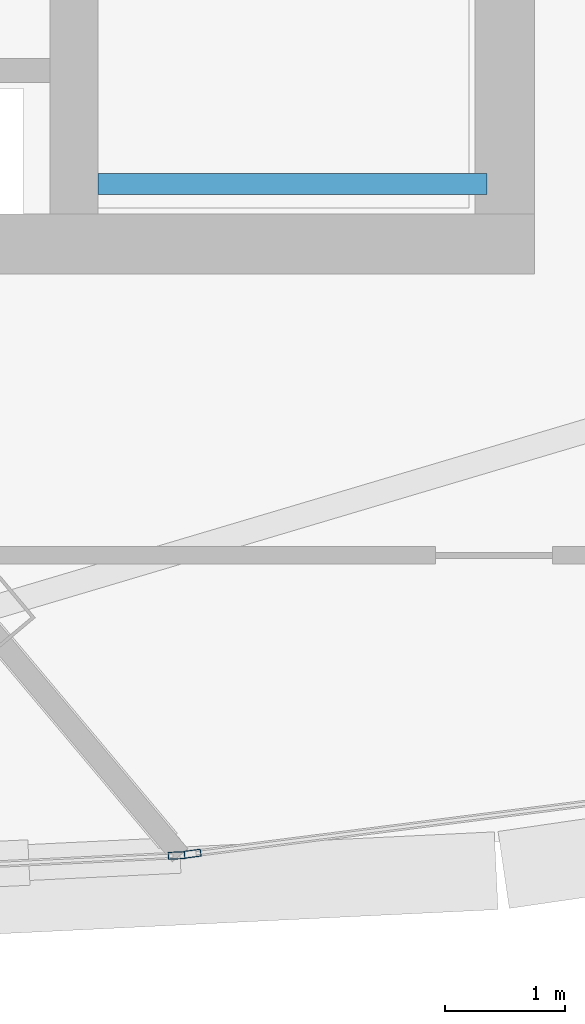
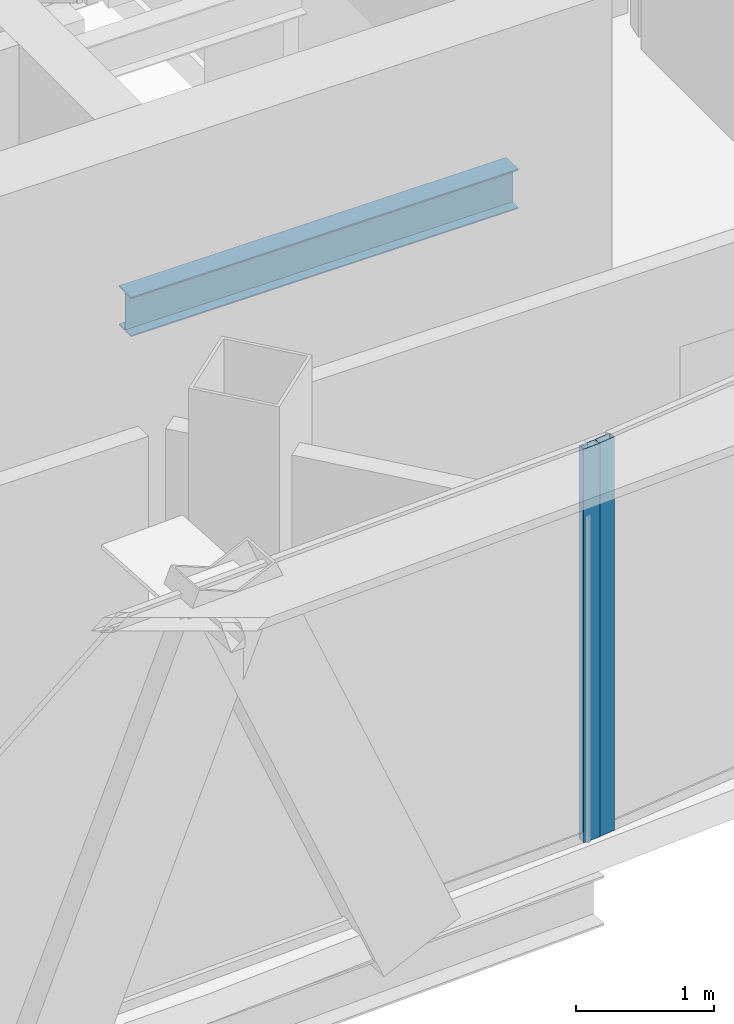
# One storey, part 11 of 30: 2 members, 1 beam, 2 elements without a shape of their own.
"""IFC4 building model written with IfcOpenShell, lengths in metres."""

from ifc_helpers import new_model, si_unit, direction, frame, origin, origin_2d, place, context, subcontext, project, spatial, hollow_rectangle, i_section, extrude, source, transform, mapped, material, layer, layer_set, material_profile, profile_set, type_object, element, aggregate, save


model = new_model("IFC4")

# Units and contexts
model_context = context("Model", 3, precision=1e-05, world=origin(), true_north=direction((0.0, 1.0)))
body_context = subcontext(model_context, "Body", "Model", "MODEL_VIEW")
ifc_project = project(units=[si_unit("LENGTHUNIT", "METRE"), si_unit("AREAUNIT", "SQUARE_METRE"), si_unit("VOLUMEUNIT", "CUBIC_METRE"), si_unit("PLANEANGLEUNIT", "RADIAN"), si_unit("MASSUNIT", "GRAM", prefix="KILO"), si_unit("THERMODYNAMICTEMPERATUREUNIT", "KELVIN"), si_unit("POWERUNIT", "WATT")], contexts=[model_context])

# Site, building, storey
site_placement = place(None, origin())
site = spatial("IfcSite", under=ifc_project, at=site_placement, CompositionType="ELEMENT")
building_placement = place(site_placement, origin())
building = spatial("IfcBuilding", under=site, at=building_placement, Name="Yunzhuo Pagoda Commons", CompositionType="ELEMENT")
storey_placement = place(building_placement, frame((0.0, 0.0, 355.510009765625)))
storey = spatial("IfcBuildingStorey", under=building, at=storey_placement, Name="L89", CompositionType="ELEMENT", Elevation=355.510009765625)

# Beam
ifc_material_1 = material(Name="Structural steel Q355B", Category="steel")
ifc_material_profile_1 = material_profile(ifc_material_1, i_section(OverallWidth=0.175048828125, OverallDepth=0.35009765625, WebThickness=0.007080078125, FlangeThickness=0.010986328125, at=origin_2d()), Name="Structural steel Q355B")
ifc_profile_set_1 = profile_set([ifc_material_profile_1], Name="Structural steel Q355B")
beam_type = type_object("IfcBeamType", Name="B-JS2 Joist HN 350x175x7x11", PredefinedType="JOIST", material=ifc_profile_set_1)
shared_shape_1 = source(origin(), body_context, "Body", "SweptSolid", [
    extrude(i_section(OverallWidth=0.175048828125, OverallDepth=0.35009765625, WebThickness=0.007080078125, FlangeThickness=0.010986328125, at=origin_2d()), origin(), (0.0, 0.0, 1.0), 3.25),
])
beam_placement = place(storey_placement, frame((56.800048828125, 28.0, 1.5), z_axis=(1.0, 0.0, 0.0), x_axis=(0.0, 1.0, 0.0)))
element("IfcBeam", 1, at=beam_placement, inside=storey, type_object=beam_type, Name="L89 ST2 landing support beam 95A", PredefinedType="JOIST", context=body_context, shape_type="MappedRepresentation", body=[
    mapped(shared_shape_1, transform((0.0, 0.0, 0.0), scale=1.0)),
])

# Curtain wall, member
ifc_material_2 = material(Name="Anodized aluminium 6063-T6", Category="aluminium")
ifc_layer = layer(ifc_material_2, 0.139892578125)
ifc_layer_set = layer_set([ifc_layer], Name="Anodized aluminium 6063-T6")
curtain_wall_type = type_object("IfcCurtainWallType", Name="CW-HI High-Zone Ribbon Curtain Wall", PredefinedType="NOTDEFINED", material=ifc_layer_set)
curtain_wall_1_placement = place(storey_placement, origin())
curtain_wall_1 = element("IfcCurtainWall", 2, at=curtain_wall_1_placement, inside=storey, type_object=curtain_wall_type, Name="L89 curtain wall CW-L89-F1B4", PredefinedType="NOTDEFINED")
ifc_material_profile_2 = material_profile(ifc_material_2, hollow_rectangle(XDim=0.06005859375, YDim=0.139892578125, WallThickness=0.00341796875, at=origin_2d()), Name="Anodized aluminium 6063-T6")
ifc_profile_set_2 = profile_set([ifc_material_profile_2], Name="Anodized aluminium 6063-T6")
member_type = type_object("IfcMemberType", Name="CW-HI-M Mullion RHS 140x60x3.5", PredefinedType="MULLION", material=ifc_profile_set_2)
shared_shape_2 = source(origin(), body_context, "Body", "SweptSolid", [
    extrude(hollow_rectangle(XDim=0.06005859375, YDim=0.139892578125, WallThickness=0.00341796875, at=origin_2d()), origin(), (0.0, 0.0, 1.0), 3.489990234375),
])
member_1_placement = place(storey_placement, frame((57.457763671875, 22.391845703125, 0.0), z_axis=(0.0, 0.0, 1.0), x_axis=(-0.047859147719, 0.99885409444, 0.0)))
member_1 = element("IfcMember", 3, at=member_1_placement, type_object=member_type, Name="CW mullion 2", PredefinedType="MULLION", context=body_context, shape_type="MappedRepresentation", body=[
    mapped(shared_shape_2, transform((0.0, 0.0, 0.0), scale=1.0)),
])
aggregate(curtain_wall_1, [member_1])

curtain_wall_2_placement = place(storey_placement, origin())
curtain_wall_2 = element("IfcCurtainWall", 4, at=curtain_wall_2_placement, inside=storey, type_object=curtain_wall_type, Name="L89 curtain wall CW-L89-F1B5", PredefinedType="NOTDEFINED")
member_2_placement = place(storey_placement, frame((57.591552734375, 22.406494140625, 0.0), z_axis=(0.0, 0.0, 1.0), x_axis=(-0.126570661327, 0.991957593696, 0.0)))
member_2 = element("IfcMember", 5, at=member_2_placement, type_object=member_type, Name="CW mullion 1", PredefinedType="MULLION", context=body_context, shape_type="MappedRepresentation", body=[
    mapped(shared_shape_2, transform((0.0, 0.0, 0.0), scale=1.0)),
])
aggregate(curtain_wall_2, [member_2])

save(model, "model.ifc")
